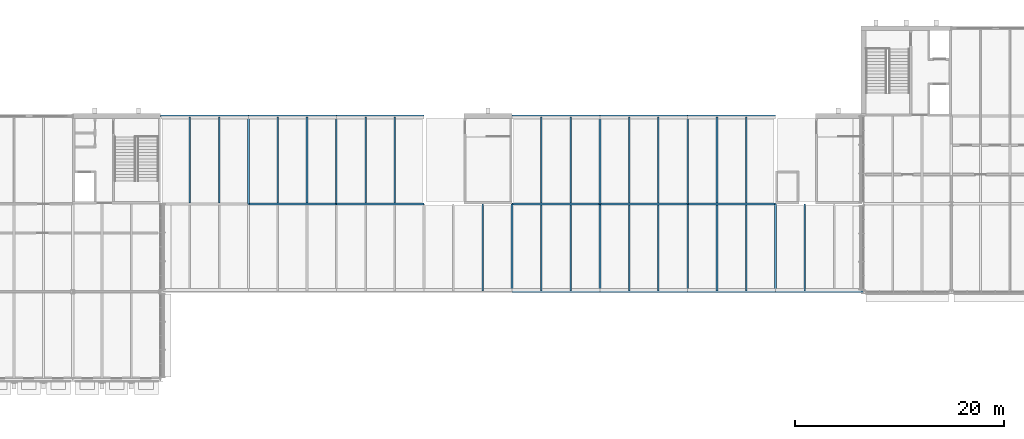
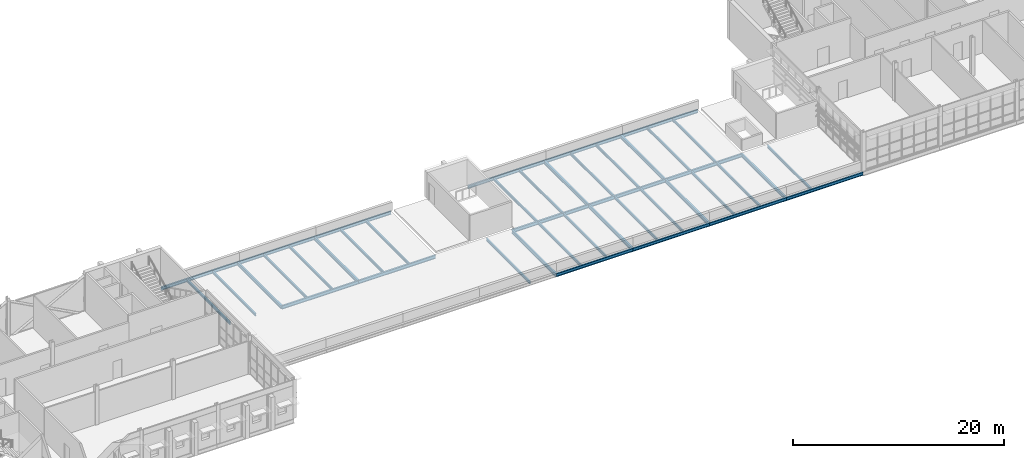
# One storey, part 8 of 29: 43 beams.
"""IFC4 building model written with IfcOpenShell, lengths in metres."""

from ifc_helpers import new_model, si_unit, direction, frame, origin, origin_2d, place, context, subcontext, project, spatial, i_section, extrude, material, material_profile, profile_set, type_object, element, save


model = new_model("IFC4")

# Units and contexts
model_context = context("Model", 3, precision=1e-05, world=origin(), true_north=direction((0.0, 1.0)))
body_context = subcontext(model_context, "Body", "Model", "MODEL_VIEW")
ifc_project = project(units=[si_unit("LENGTHUNIT", "METRE"), si_unit("AREAUNIT", "SQUARE_METRE"), si_unit("VOLUMEUNIT", "CUBIC_METRE"), si_unit("PLANEANGLEUNIT", "RADIAN"), si_unit("MASSUNIT", "GRAM", prefix="KILO")], contexts=[model_context])

# Site, building, storey
site_placement = place(None, origin())
site = spatial("IfcSite", under=ifc_project, at=site_placement, CompositionType="ELEMENT")
building_placement = place(site_placement, origin())
building = spatial("IfcBuilding", under=site, at=building_placement, Name="Ardhachandra Cancer Care Centre", CompositionType="ELEMENT")
storey_placement = place(building_placement, frame((0.0, 0.0, 13.5)))
storey = spatial("IfcBuildingStorey", under=building, at=storey_placement, Name="L03", CompositionType="ELEMENT", Elevation=13.5)

# Beams
ifc_material_1 = material(Name="Steel E350 (IS 2062)", Category="steel")
ifc_material_profile_1 = material_profile(ifc_material_1, i_section(OverallWidth=0.152099609375, OverallDepth=0.303955078125, WebThickness=0.008056640625, FlangeThickness=0.0126953125, FilletRadius=0.014892578125, at=origin_2d()), Name="NPB 300x150x49.32")
ifc_profile_set_1 = profile_set([ifc_material_profile_1], Name="Steel E350 (IS 2062)")
beam_type_1 = type_object("IfcBeamType", Name="Beam NPB 300x150x49.32", PredefinedType="BEAM", material=ifc_profile_set_1)
for number, where, z_axis, x_axis, name in (
    (1, (47.199951171875, 88.2900390625, -0.35205078125), (0.0, 1.0, 0.0), (-1.0, 0.0, 0.0), "Secondary K5-L5@2800"),
    (2, (50.0, 88.2900390625, -0.35205078125), (0.0, 1.0, 0.0), (-1.0, 0.0, 0.0), "Secondary K5-L5@5600"),
    (3, (55.60009765625, 88.2900390625, -0.35205078125), (0.0, 1.0, 0.0), (-1.0, 0.0, 0.0), "Secondary K6-L6@2800"),
    (4, (58.39990234375, 88.2900390625, -0.35205078125), (0.0, 1.0, 0.0), (-1.0, 0.0, 0.0), "Secondary K6-L6@5600"),
    (5, (64.0, 88.2900390625, -0.35205078125), (0.0, 1.0, 0.0), (-1.0, 0.0, 0.0), "Secondary K7-L7@2800"),
    (6, (66.800048828125, 88.2900390625, -0.35205078125), (0.0, 1.0, 0.0), (-1.0, 0.0, 0.0), "Secondary K7-L7@5600"),
):
    element("IfcBeam", number, at=place(storey_placement, frame(where, z_axis=z_axis, x_axis=x_axis)), inside=storey, type_object=beam_type_1, Name=name, PredefinedType="BEAM", context=body_context, shape_type="SweptSolid", body=[
        extrude(i_section(OverallWidth=0.152099609375, OverallDepth=0.303955078125, WebThickness=0.008056640625, FlangeThickness=0.0126953125, FilletRadius=0.014892578125, at=origin_2d()), origin(), (0.0, 0.0, 1.0), 8.223876953125),
    ])
beam_1_placement = place(storey_placement, frame((75.199951171875, 79.885986328125, -0.35205078125), z_axis=(0.0, 1.0, 0.0), x_axis=(-1.0, 0.0, 0.0)))
element("IfcBeam", 7, at=beam_1_placement, inside=storey, type_object=beam_type_1, Name="Secondary J8-K8@5600", PredefinedType="BEAM", context=body_context, shape_type="SweptSolid", body=[
    extrude(i_section(OverallWidth=0.152099609375, OverallDepth=0.303955078125, WebThickness=0.008056640625, FlangeThickness=0.0126953125, FilletRadius=0.014892578125, at=origin_2d()), origin(), (0.0, 0.0, 1.0), 8.31396484375),
])
beam_2_placement = place(storey_placement, frame((80.800048828125, 79.885986328125, -0.35205078125), z_axis=(0.0, 1.0, 0.0), x_axis=(-1.0, 0.0, 0.0)))
element("IfcBeam", 8, at=beam_2_placement, inside=storey, type_object=beam_type_1, Name="Secondary J9-K9@2800", PredefinedType="BEAM", context=body_context, shape_type="SweptSolid", body=[
    extrude(i_section(OverallWidth=0.152099609375, OverallDepth=0.303955078125, WebThickness=0.008056640625, FlangeThickness=0.0126953125, FilletRadius=0.014892578125, at=origin_2d()), origin(), (0.0, 0.0, 1.0), 8.22412109375),
])
beam_3_placement = place(storey_placement, frame((80.800048828125, 88.2900390625, -0.35205078125), z_axis=(0.0, 1.0, 0.0), x_axis=(-1.0, 0.0, 0.0)))
element("IfcBeam", 9, at=beam_3_placement, inside=storey, type_object=beam_type_1, Name="Secondary K9-L9@2800", PredefinedType="BEAM", context=body_context, shape_type="SweptSolid", body=[
    extrude(i_section(OverallWidth=0.152099609375, OverallDepth=0.303955078125, WebThickness=0.008056640625, FlangeThickness=0.0126953125, FilletRadius=0.014892578125, at=origin_2d()), origin(), (0.0, 0.0, 1.0), 8.223876953125),
])
beam_4_placement = place(storey_placement, frame((83.60009765625, 79.885986328125, -0.35205078125), z_axis=(0.0, 1.0, 0.0), x_axis=(-1.0, 0.0, 0.0)))
element("IfcBeam", 10, at=beam_4_placement, inside=storey, type_object=beam_type_1, Name="Secondary J9-K9@5600", PredefinedType="BEAM", context=body_context, shape_type="SweptSolid", body=[
    extrude(i_section(OverallWidth=0.152099609375, OverallDepth=0.303955078125, WebThickness=0.008056640625, FlangeThickness=0.0126953125, FilletRadius=0.014892578125, at=origin_2d()), origin(), (0.0, 0.0, 1.0), 8.22412109375),
])
beam_5_placement = place(storey_placement, frame((83.60009765625, 88.2900390625, -0.35205078125), z_axis=(0.0, 1.0, 0.0), x_axis=(-1.0, 0.0, 0.0)))
element("IfcBeam", 11, at=beam_5_placement, inside=storey, type_object=beam_type_1, Name="Secondary K9-L9@5600", PredefinedType="BEAM", context=body_context, shape_type="SweptSolid", body=[
    extrude(i_section(OverallWidth=0.152099609375, OverallDepth=0.303955078125, WebThickness=0.008056640625, FlangeThickness=0.0126953125, FilletRadius=0.014892578125, at=origin_2d()), origin(), (0.0, 0.0, 1.0), 8.223876953125),
])
beam_6_placement = place(storey_placement, frame((89.199951171875, 79.885986328125, -0.35205078125), z_axis=(0.0, 1.0, 0.0), x_axis=(-1.0, 0.0, 0.0)))
element("IfcBeam", 12, at=beam_6_placement, inside=storey, type_object=beam_type_1, Name="Secondary J10-K10@2800", PredefinedType="BEAM", context=body_context, shape_type="SweptSolid", body=[
    extrude(i_section(OverallWidth=0.152099609375, OverallDepth=0.303955078125, WebThickness=0.008056640625, FlangeThickness=0.0126953125, FilletRadius=0.014892578125, at=origin_2d()), origin(), (0.0, 0.0, 1.0), 8.22412109375),
])
beam_7_placement = place(storey_placement, frame((89.199951171875, 88.2900390625, -0.35205078125), z_axis=(0.0, 1.0, 0.0), x_axis=(-1.0, 0.0, 0.0)))
element("IfcBeam", 13, at=beam_7_placement, inside=storey, type_object=beam_type_1, Name="Secondary K10-L10@2800", PredefinedType="BEAM", context=body_context, shape_type="SweptSolid", body=[
    extrude(i_section(OverallWidth=0.152099609375, OverallDepth=0.303955078125, WebThickness=0.008056640625, FlangeThickness=0.0126953125, FilletRadius=0.014892578125, at=origin_2d()), origin(), (0.0, 0.0, 1.0), 8.223876953125),
])
beam_8_placement = place(storey_placement, frame((92.0, 79.885986328125, -0.35205078125), z_axis=(0.0, 1.0, 0.0), x_axis=(-1.0, 0.0, 0.0)))
element("IfcBeam", 14, at=beam_8_placement, inside=storey, type_object=beam_type_1, Name="Secondary J10-K10@5600", PredefinedType="BEAM", context=body_context, shape_type="SweptSolid", body=[
    extrude(i_section(OverallWidth=0.152099609375, OverallDepth=0.303955078125, WebThickness=0.008056640625, FlangeThickness=0.0126953125, FilletRadius=0.014892578125, at=origin_2d()), origin(), (0.0, 0.0, 1.0), 8.22412109375),
])
beam_9_placement = place(storey_placement, frame((92.0, 88.2900390625, -0.35205078125), z_axis=(0.0, 1.0, 0.0), x_axis=(-1.0, 0.0, 0.0)))
element("IfcBeam", 15, at=beam_9_placement, inside=storey, type_object=beam_type_1, Name="Secondary K10-L10@5600", PredefinedType="BEAM", context=body_context, shape_type="SweptSolid", body=[
    extrude(i_section(OverallWidth=0.152099609375, OverallDepth=0.303955078125, WebThickness=0.008056640625, FlangeThickness=0.0126953125, FilletRadius=0.014892578125, at=origin_2d()), origin(), (0.0, 0.0, 1.0), 8.223876953125),
])
beam_10_placement = place(storey_placement, frame((97.60009765625, 79.885986328125, -0.35205078125), z_axis=(0.0, 1.0, 0.0), x_axis=(-1.0, 0.0, 0.0)))
element("IfcBeam", 16, at=beam_10_placement, inside=storey, type_object=beam_type_1, Name="Secondary J11-K11@2800", PredefinedType="BEAM", context=body_context, shape_type="SweptSolid", body=[
    extrude(i_section(OverallWidth=0.152099609375, OverallDepth=0.303955078125, WebThickness=0.008056640625, FlangeThickness=0.0126953125, FilletRadius=0.014892578125, at=origin_2d()), origin(), (0.0, 0.0, 1.0), 8.22412109375),
])
beam_11_placement = place(storey_placement, frame((97.60009765625, 88.2900390625, -0.35205078125), z_axis=(0.0, 1.0, 0.0), x_axis=(-1.0, 0.0, 0.0)))
element("IfcBeam", 17, at=beam_11_placement, inside=storey, type_object=beam_type_1, Name="Secondary K11-L11@2800", PredefinedType="BEAM", context=body_context, shape_type="SweptSolid", body=[
    extrude(i_section(OverallWidth=0.152099609375, OverallDepth=0.303955078125, WebThickness=0.008056640625, FlangeThickness=0.0126953125, FilletRadius=0.014892578125, at=origin_2d()), origin(), (0.0, 0.0, 1.0), 8.223876953125),
])
beam_12_placement = place(storey_placement, frame((100.39990234375, 79.885986328125, -0.35205078125), z_axis=(0.0, 1.0, 0.0), x_axis=(-1.0, 0.0, 0.0)))
element("IfcBeam", 18, at=beam_12_placement, inside=storey, type_object=beam_type_1, Name="Secondary J11-K11@5600", PredefinedType="BEAM", context=body_context, shape_type="SweptSolid", body=[
    extrude(i_section(OverallWidth=0.152099609375, OverallDepth=0.303955078125, WebThickness=0.008056640625, FlangeThickness=0.0126953125, FilletRadius=0.014892578125, at=origin_2d()), origin(), (0.0, 0.0, 1.0), 8.22412109375),
])
beam_13_placement = place(storey_placement, frame((100.39990234375, 88.2900390625, -0.35205078125), z_axis=(0.0, 1.0, 0.0), x_axis=(-1.0, 0.0, 0.0)))
element("IfcBeam", 19, at=beam_13_placement, inside=storey, type_object=beam_type_1, Name="Secondary K11-L11@5600", PredefinedType="BEAM", context=body_context, shape_type="SweptSolid", body=[
    extrude(i_section(OverallWidth=0.152099609375, OverallDepth=0.303955078125, WebThickness=0.008056640625, FlangeThickness=0.0126953125, FilletRadius=0.014892578125, at=origin_2d()), origin(), (0.0, 0.0, 1.0), 8.223876953125),
])
beam_14_placement = place(storey_placement, frame((106.0, 79.885986328125, -0.35205078125), z_axis=(0.0, 1.0, 0.0), x_axis=(-1.0, 0.0, 0.0)))
element("IfcBeam", 20, at=beam_14_placement, inside=storey, type_object=beam_type_1, Name="Secondary J12-K12@2800", PredefinedType="BEAM", context=body_context, shape_type="SweptSolid", body=[
    extrude(i_section(OverallWidth=0.152099609375, OverallDepth=0.303955078125, WebThickness=0.008056640625, FlangeThickness=0.0126953125, FilletRadius=0.014892578125, at=origin_2d()), origin(), (0.0, 0.0, 1.0), 8.31396484375),
])
ifc_material_2 = material(Name="Steel E350 (IS 2062)", Category="steel")
ifc_material_profile_2 = material_profile(ifc_material_2, i_section(OverallWidth=0.172119140625, OverallDepth=0.364013671875, WebThickness=0.00927734375, FlangeThickness=0.0146484375, FilletRadius=0.01806640625, at=origin_2d()), Name="NPB 350x170x66.04")
ifc_profile_set_2 = profile_set([ifc_material_profile_2], Name="Steel E350 (IS 2062)")
beam_type_2 = type_object("IfcBeamType", Name="Beam NPB 350x170x66.04", PredefinedType="BEAM", material=ifc_profile_set_2)
beam_15_placement = place(storey_placement, frame((78.0, 79.800048828125, -0.382080078125), z_axis=(1.0, 0.0, 0.0), x_axis=(0.0, 1.0, 0.0)))
element("IfcBeam", 21, at=beam_15_placement, inside=storey, type_object=beam_type_2, Name="Edge girder J9-J10", PredefinedType="BEAM", context=body_context, shape_type="SweptSolid", body=[
    extrude(i_section(OverallWidth=0.172119140625, OverallDepth=0.364013671875, WebThickness=0.00927734375, FlangeThickness=0.0146484375, FilletRadius=0.01806640625, at=origin_2d()), origin(), (0.0, 0.0, 1.0), 8.39990234375),
])
beam_16_placement = place(storey_placement, frame((86.39990234375, 79.800048828125, -0.382080078125), z_axis=(1.0, 0.0, 0.0), x_axis=(0.0, 1.0, 0.0)))
element("IfcBeam", 22, at=beam_16_placement, inside=storey, type_object=beam_type_2, Name="Edge girder J10-J11", PredefinedType="BEAM", context=body_context, shape_type="SweptSolid", body=[
    extrude(i_section(OverallWidth=0.172119140625, OverallDepth=0.364013671875, WebThickness=0.00927734375, FlangeThickness=0.0146484375, FilletRadius=0.01806640625, at=origin_2d()), origin(), (0.0, 0.0, 1.0), 8.400146484375),
])
beam_17_placement = place(storey_placement, frame((94.800048828125, 79.800048828125, -0.382080078125), z_axis=(1.0, 0.0, 0.0), x_axis=(0.0, 1.0, 0.0)))
element("IfcBeam", 23, at=beam_17_placement, inside=storey, type_object=beam_type_2, Name="Edge girder J11-J12", PredefinedType="BEAM", context=body_context, shape_type="SweptSolid", body=[
    extrude(i_section(OverallWidth=0.172119140625, OverallDepth=0.364013671875, WebThickness=0.00927734375, FlangeThickness=0.0146484375, FilletRadius=0.01806640625, at=origin_2d()), origin(), (0.0, 0.0, 1.0), 8.39990234375),
])
for number, where, z_axis, x_axis, name in (
    (24, (103.199951171875, 79.800048828125, -0.382080078125), (1.0, 0.0, 0.0), (0.0, 1.0, 0.0), "Edge girder J12-J13"),
    (25, (44.39990234375, 96.60009765625, -0.382080078125), (1.0, 0.0, 0.0), (0.0, 1.0, 0.0), "Edge girder L5-L6"),
):
    element("IfcBeam", number, at=place(storey_placement, frame(where, z_axis=z_axis, x_axis=x_axis)), inside=storey, type_object=beam_type_2, Name=name, PredefinedType="BEAM", context=body_context, shape_type="SweptSolid", body=[
        extrude(i_section(OverallWidth=0.172119140625, OverallDepth=0.364013671875, WebThickness=0.00927734375, FlangeThickness=0.0146484375, FilletRadius=0.01806640625, at=origin_2d()), origin(), (0.0, 0.0, 1.0), 8.400146484375),
    ])
beam_18_placement = place(storey_placement, frame((52.800048828125, 96.60009765625, -0.382080078125), z_axis=(1.0, 0.0, 0.0), x_axis=(0.0, 1.0, 0.0)))
element("IfcBeam", 26, at=beam_18_placement, inside=storey, type_object=beam_type_2, Name="Edge girder L6-L7", PredefinedType="BEAM", context=body_context, shape_type="SweptSolid", body=[
    extrude(i_section(OverallWidth=0.172119140625, OverallDepth=0.364013671875, WebThickness=0.00927734375, FlangeThickness=0.0146484375, FilletRadius=0.01806640625, at=origin_2d()), origin(), (0.0, 0.0, 1.0), 8.39990234375),
])
beam_19_placement = place(storey_placement, frame((61.199951171875, 96.60009765625, -0.382080078125), z_axis=(1.0, 0.0, 0.0), x_axis=(0.0, 1.0, 0.0)))
element("IfcBeam", 27, at=beam_19_placement, inside=storey, type_object=beam_type_2, Name="Edge girder L7-L8", PredefinedType="BEAM", context=body_context, shape_type="SweptSolid", body=[
    extrude(i_section(OverallWidth=0.172119140625, OverallDepth=0.364013671875, WebThickness=0.00927734375, FlangeThickness=0.0146484375, FilletRadius=0.01806640625, at=origin_2d()), origin(), (0.0, 0.0, 1.0), 8.400146484375),
])
beam_20_placement = place(storey_placement, frame((78.0, 96.60009765625, -0.382080078125), z_axis=(1.0, 0.0, 0.0), x_axis=(0.0, 1.0, 0.0)))
element("IfcBeam", 28, at=beam_20_placement, inside=storey, type_object=beam_type_2, Name="Edge girder L9-L10", PredefinedType="BEAM", context=body_context, shape_type="SweptSolid", body=[
    extrude(i_section(OverallWidth=0.172119140625, OverallDepth=0.364013671875, WebThickness=0.00927734375, FlangeThickness=0.0146484375, FilletRadius=0.01806640625, at=origin_2d()), origin(), (0.0, 0.0, 1.0), 8.39990234375),
])
beam_21_placement = place(storey_placement, frame((86.39990234375, 96.60009765625, -0.382080078125), z_axis=(1.0, 0.0, 0.0), x_axis=(0.0, 1.0, 0.0)))
element("IfcBeam", 29, at=beam_21_placement, inside=storey, type_object=beam_type_2, Name="Edge girder L10-L11", PredefinedType="BEAM", context=body_context, shape_type="SweptSolid", body=[
    extrude(i_section(OverallWidth=0.172119140625, OverallDepth=0.364013671875, WebThickness=0.00927734375, FlangeThickness=0.0146484375, FilletRadius=0.01806640625, at=origin_2d()), origin(), (0.0, 0.0, 1.0), 8.400146484375),
])
beam_22_placement = place(storey_placement, frame((94.800048828125, 96.60009765625, -0.382080078125), z_axis=(1.0, 0.0, 0.0), x_axis=(0.0, 1.0, 0.0)))
element("IfcBeam", 30, at=beam_22_placement, inside=storey, type_object=beam_type_2, Name="Edge girder L11-L12", PredefinedType="BEAM", context=body_context, shape_type="SweptSolid", body=[
    extrude(i_section(OverallWidth=0.172119140625, OverallDepth=0.364013671875, WebThickness=0.00927734375, FlangeThickness=0.0146484375, FilletRadius=0.01806640625, at=origin_2d()), origin(), (0.0, 0.0, 1.0), 8.39990234375),
])
ifc_material_3 = material(Name="Steel E350 (IS 2062)", Category="steel")
ifc_material_profile_3 = material_profile(ifc_material_3, i_section(OverallWidth=0.179931640625, OverallDepth=0.39990234375, WebThickness=0.008544921875, FlangeThickness=0.013427734375, FilletRadius=0.02099609375, at=origin_2d()), Name="NPB 400x180x66.30")
ifc_profile_set_3 = profile_set([ifc_material_profile_3], Name="Steel E350 (IS 2062)")
beam_type_3 = type_object("IfcBeamType", Name="Beam NPB 400x180x66.30", PredefinedType="BEAM", material=ifc_profile_set_3)
beam_23_placement = place(storey_placement, frame((52.800048828125, 88.199951171875, -0.39990234375), z_axis=(1.0, 0.0, 0.0), x_axis=(0.0, 1.0, 0.0)))
element("IfcBeam", 31, at=beam_23_placement, inside=storey, type_object=beam_type_3, Name="Girder K6-K7", PredefinedType="BEAM", context=body_context, shape_type="SweptSolid", body=[
    extrude(i_section(OverallWidth=0.179931640625, OverallDepth=0.39990234375, WebThickness=0.008544921875, FlangeThickness=0.013427734375, FilletRadius=0.02099609375, at=origin_2d()), origin(), (0.0, 0.0, 1.0), 8.39990234375),
])
beam_24_placement = place(storey_placement, frame((61.199951171875, 88.199951171875, -0.39990234375), z_axis=(1.0, 0.0, 0.0), x_axis=(0.0, 1.0, 0.0)))
element("IfcBeam", 32, at=beam_24_placement, inside=storey, type_object=beam_type_3, Name="Girder K7-K8", PredefinedType="BEAM", context=body_context, shape_type="SweptSolid", body=[
    extrude(i_section(OverallWidth=0.179931640625, OverallDepth=0.39990234375, WebThickness=0.008544921875, FlangeThickness=0.013427734375, FilletRadius=0.02099609375, at=origin_2d()), origin(), (0.0, 0.0, 1.0), 8.400146484375),
])
beam_25_placement = place(storey_placement, frame((78.0, 88.199951171875, -0.39990234375), z_axis=(1.0, 0.0, 0.0), x_axis=(0.0, 1.0, 0.0)))
element("IfcBeam", 33, at=beam_25_placement, inside=storey, type_object=beam_type_3, Name="Girder K9-K10", PredefinedType="BEAM", context=body_context, shape_type="SweptSolid", body=[
    extrude(i_section(OverallWidth=0.179931640625, OverallDepth=0.39990234375, WebThickness=0.008544921875, FlangeThickness=0.013427734375, FilletRadius=0.02099609375, at=origin_2d()), origin(), (0.0, 0.0, 1.0), 8.39990234375),
])
beam_26_placement = place(storey_placement, frame((86.39990234375, 88.199951171875, -0.39990234375), z_axis=(1.0, 0.0, 0.0), x_axis=(0.0, 1.0, 0.0)))
element("IfcBeam", 34, at=beam_26_placement, inside=storey, type_object=beam_type_3, Name="Girder K10-K11", PredefinedType="BEAM", context=body_context, shape_type="SweptSolid", body=[
    extrude(i_section(OverallWidth=0.179931640625, OverallDepth=0.39990234375, WebThickness=0.008544921875, FlangeThickness=0.013427734375, FilletRadius=0.02099609375, at=origin_2d()), origin(), (0.0, 0.0, 1.0), 8.400146484375),
])
beam_27_placement = place(storey_placement, frame((94.800048828125, 88.199951171875, -0.39990234375), z_axis=(1.0, 0.0, 0.0), x_axis=(0.0, 1.0, 0.0)))
element("IfcBeam", 35, at=beam_27_placement, inside=storey, type_object=beam_type_3, Name="Girder K11-K12", PredefinedType="BEAM", context=body_context, shape_type="SweptSolid", body=[
    extrude(i_section(OverallWidth=0.179931640625, OverallDepth=0.39990234375, WebThickness=0.008544921875, FlangeThickness=0.013427734375, FilletRadius=0.02099609375, at=origin_2d()), origin(), (0.0, 0.0, 1.0), 8.39990234375),
])
for number, where, z_axis, x_axis, name in (
    (36, (52.800048828125, 88.199951171875, -0.39990234375), (0.0, 1.0, 0.0), (-1.0, 0.0, 0.0), "Girder K6-L6"),
    (37, (61.199951171875, 88.199951171875, -0.39990234375), (0.0, 1.0, 0.0), (-1.0, 0.0, 0.0), "Girder K7-L7"),
):
    element("IfcBeam", number, at=place(storey_placement, frame(where, z_axis=z_axis, x_axis=x_axis)), inside=storey, type_object=beam_type_3, Name=name, PredefinedType="BEAM", context=body_context, shape_type="SweptSolid", body=[
        extrude(i_section(OverallWidth=0.179931640625, OverallDepth=0.39990234375, WebThickness=0.008544921875, FlangeThickness=0.013427734375, FilletRadius=0.02099609375, at=origin_2d()), origin(), (0.0, 0.0, 1.0), 8.400146484375),
    ])
for number, where, z_axis, x_axis, name in (
    (38, (78.0, 79.800048828125, -0.39990234375), (0.0, 1.0, 0.0), (-1.0, 0.0, 0.0), "Girder J9-K9"),
    (39, (86.39990234375, 79.800048828125, -0.39990234375), (0.0, 1.0, 0.0), (-1.0, 0.0, 0.0), "Girder J10-K10"),
):
    element("IfcBeam", number, at=place(storey_placement, frame(where, z_axis=z_axis, x_axis=x_axis)), inside=storey, type_object=beam_type_3, Name=name, PredefinedType="BEAM", context=body_context, shape_type="SweptSolid", body=[
        extrude(i_section(OverallWidth=0.179931640625, OverallDepth=0.39990234375, WebThickness=0.008544921875, FlangeThickness=0.013427734375, FilletRadius=0.02099609375, at=origin_2d()), origin(), (0.0, 0.0, 1.0), 8.39990234375),
    ])
beam_28_placement = place(storey_placement, frame((86.39990234375, 88.199951171875, -0.39990234375), z_axis=(0.0, 1.0, 0.0), x_axis=(-1.0, 0.0, 0.0)))
element("IfcBeam", 40, at=beam_28_placement, inside=storey, type_object=beam_type_3, Name="Girder K10-L10", PredefinedType="BEAM", context=body_context, shape_type="SweptSolid", body=[
    extrude(i_section(OverallWidth=0.179931640625, OverallDepth=0.39990234375, WebThickness=0.008544921875, FlangeThickness=0.013427734375, FilletRadius=0.02099609375, at=origin_2d()), origin(), (0.0, 0.0, 1.0), 8.400146484375),
])
beam_29_placement = place(storey_placement, frame((94.800048828125, 79.800048828125, -0.39990234375), z_axis=(0.0, 1.0, 0.0), x_axis=(-1.0, 0.0, 0.0)))
element("IfcBeam", 41, at=beam_29_placement, inside=storey, type_object=beam_type_3, Name="Girder J11-K11", PredefinedType="BEAM", context=body_context, shape_type="SweptSolid", body=[
    extrude(i_section(OverallWidth=0.179931640625, OverallDepth=0.39990234375, WebThickness=0.008544921875, FlangeThickness=0.013427734375, FilletRadius=0.02099609375, at=origin_2d()), origin(), (0.0, 0.0, 1.0), 8.39990234375),
])
beam_30_placement = place(storey_placement, frame((94.800048828125, 88.199951171875, -0.39990234375), z_axis=(0.0, 1.0, 0.0), x_axis=(-1.0, 0.0, 0.0)))
element("IfcBeam", 42, at=beam_30_placement, inside=storey, type_object=beam_type_3, Name="Girder K11-L11", PredefinedType="BEAM", context=body_context, shape_type="SweptSolid", body=[
    extrude(i_section(OverallWidth=0.179931640625, OverallDepth=0.39990234375, WebThickness=0.008544921875, FlangeThickness=0.013427734375, FilletRadius=0.02099609375, at=origin_2d()), origin(), (0.0, 0.0, 1.0), 8.400146484375),
])
beam_31_placement = place(storey_placement, frame((103.199951171875, 79.800048828125, -0.39990234375), z_axis=(0.0, 1.0, 0.0), x_axis=(-1.0, 0.0, 0.0)))
element("IfcBeam", 43, at=beam_31_placement, inside=storey, type_object=beam_type_3, Name="Girder J12-K12", PredefinedType="BEAM", context=body_context, shape_type="SweptSolid", body=[
    extrude(i_section(OverallWidth=0.179931640625, OverallDepth=0.39990234375, WebThickness=0.008544921875, FlangeThickness=0.013427734375, FilletRadius=0.02099609375, at=origin_2d()), origin(), (0.0, 0.0, 1.0), 8.39990234375),
])

save(model, "model.ifc")
